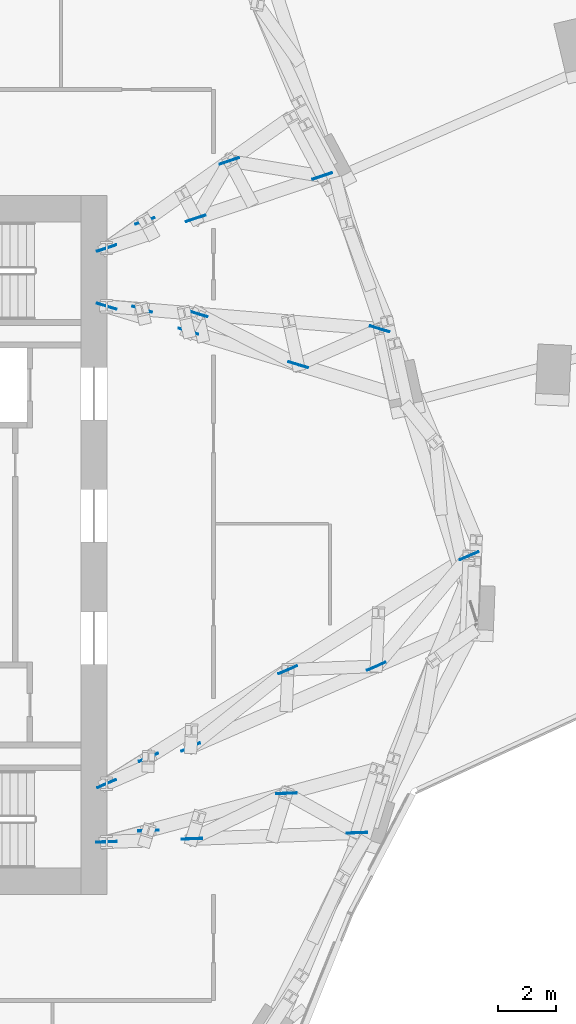
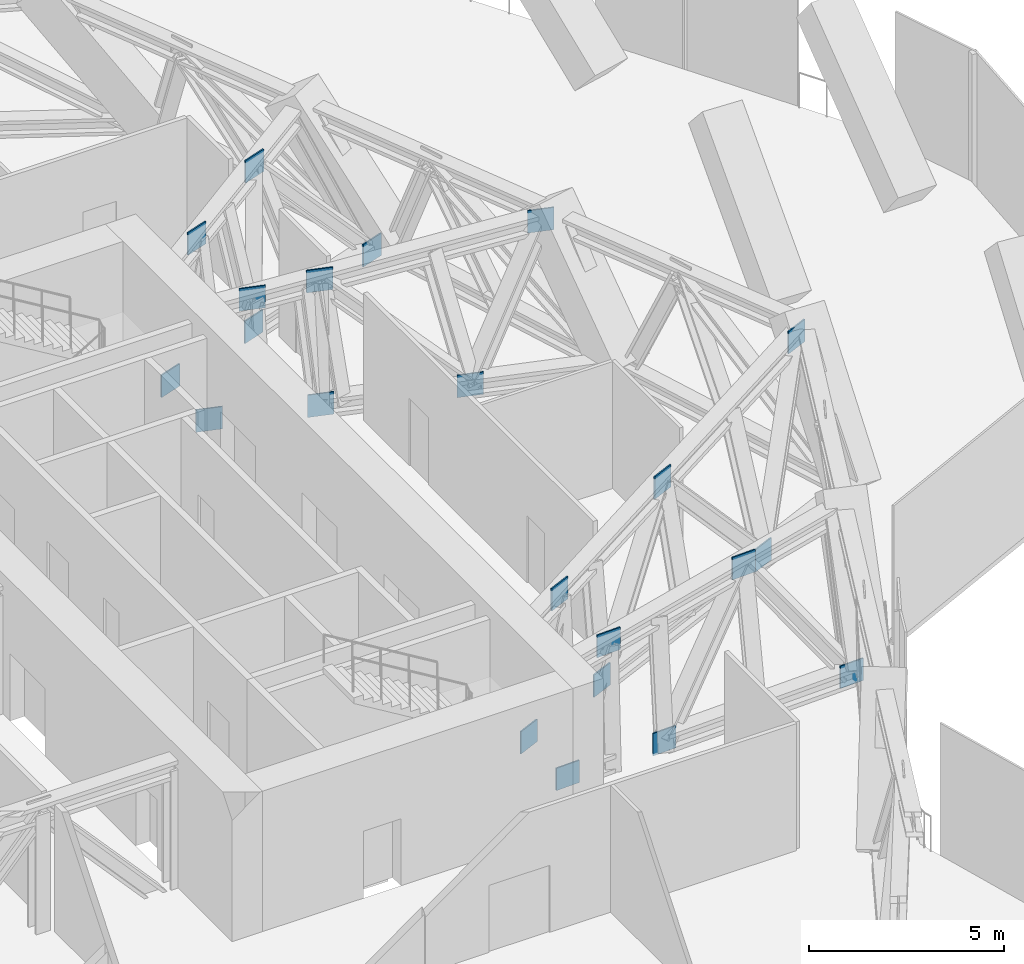
# One storey, part 27 of 31: 1 discrete accessory.
"""IFC4 building model written with IfcOpenShell, lengths in metres."""

from ifc_helpers import new_model, si_unit, direction, frame, origin, origin_2d, place, context, subcontext, project, spatial, rectangle, extrude, material, layer, layer_set, type_object, element, save


model = new_model("IFC4")

# Units and contexts
model_context = context("Model", 3, precision=1e-05, world=origin(), true_north=direction((0.0, 1.0)))
body_context = subcontext(model_context, "Body", "Model", "MODEL_VIEW")
ifc_project = project(units=[si_unit("LENGTHUNIT", "METRE"), si_unit("AREAUNIT", "SQUARE_METRE"), si_unit("VOLUMEUNIT", "CUBIC_METRE"), si_unit("PLANEANGLEUNIT", "RADIAN"), si_unit("MASSUNIT", "GRAM", prefix="KILO")], contexts=[model_context])

# Site, building, storey
site_placement = place(None, origin())
site = spatial("IfcSite", under=ifc_project, at=site_placement, CompositionType="ELEMENT")
building_placement = place(site_placement, origin())
building = spatial("IfcBuilding", under=site, at=building_placement, Name="Orlundy Tower", CompositionType="ELEMENT")
storey_placement = place(building_placement, frame((0.0, 0.0, 271.0)))
storey = spatial("IfcBuildingStorey", under=building, at=storey_placement, Name="L72", CompositionType="ELEMENT", Elevation=271.0)

# Discrete accessory
ifc_material = material(Name="Steel ASTM A572 Gr 50", Category="steel")
ifc_layer = layer(ifc_material, 0.0400390625)
ifc_layer_set = layer_set([ifc_layer], Name="CONNECTION PLATES")
discrete_accessory_type = type_object("IfcDiscreteAccessoryType", Name="CONNECTION PLATES", PredefinedType="ANCHORPLATE", material=ifc_layer_set)
discrete_accessory_placement = place(storey_placement, frame((0.0, 0.0, -271.0)))
element("IfcDiscreteAccessory", 1, at=discrete_accessory_placement, inside=storey, type_object=discrete_accessory_type, Name="Connection plates OUTRIG-L72-E", PredefinedType="ANCHORPLATE", context=body_context, shape_type="SweptSolid", body=[
    extrude(rectangle(XDim=0.699951171875, YDim=0.0400390625, at=origin_2d()), frame((18.97998046875, -10.199951171875, 270.9345703125), z_axis=(0.0, 0.0, 1.0), x_axis=(0.999346181942, 0.036155340369, 0.0)), (0.0, 0.0, 1.0), 0.699951171875),
    extrude(rectangle(XDim=0.699951171875, YDim=0.0400390625, at=origin_2d()), frame((20.41357421875, -9.8134765625, 274.365234375), z_axis=(0.0, 0.0, 1.0), x_axis=(0.999346181942, 0.036155340369, 0.0)), (0.0, 0.0, 1.0), 0.699951171875),
    extrude(rectangle(XDim=0.699951171875, YDim=0.0400390625, at=origin_2d()), frame((21.9091796875, -10.093994140625, 270.9345703125), z_axis=(0.0, 0.0, 1.0), x_axis=(0.999346181942, 0.036155340369, 0.0)), (0.0, 0.0, 1.0), 0.699951171875),
    extrude(rectangle(XDim=0.699951171875, YDim=0.0400390625, at=origin_2d()), frame((25.15625, -8.5341796875, 274.365234375), z_axis=(0.0, 0.0, 1.0), x_axis=(0.999346181942, 0.036155340369, 0.0)), (0.0, 0.0, 1.0), 0.699951171875),
    extrude(rectangle(XDim=0.699951171875, YDim=0.0400390625, at=origin_2d()), frame((27.576171875, -9.888916015625, 270.9345703125), z_axis=(0.0, 0.0, 1.0), x_axis=(0.999346181942, 0.036155340369, 0.0)), (0.0, 0.0, 1.0), 0.699951171875),
    extrude(rectangle(XDim=0.699951171875, YDim=0.0400390625, at=origin_2d()), frame((18.97998046875, -8.199951171875, 270.9345703125), z_axis=(0.0, 0.0, 1.0), x_axis=(0.916899932365, 0.399117168296, 0.0)), (0.0, 0.0, 1.0), 0.699951171875),
    extrude(rectangle(XDim=0.699951171875, YDim=0.0400390625, at=origin_2d()), frame((20.41650390625, -7.297119140625, 274.365234375), z_axis=(0.0, 0.0, 1.0), x_axis=(0.916899932365, 0.399117168296, 0.0)), (0.0, 0.0, 1.0), 0.699951171875),
    extrude(rectangle(XDim=0.699951171875, YDim=0.0400390625, at=origin_2d()), frame((21.871826171875, -6.941162109375, 270.9345703125), z_axis=(0.0, 0.0, 1.0), x_axis=(0.916899932365, 0.399117168296, 0.0)), (0.0, 0.0, 1.0), 0.699951171875),
    extrude(rectangle(XDim=0.699951171875, YDim=0.0400390625, at=origin_2d()), frame((25.2060546875, -4.285888671875, 274.365234375), z_axis=(0.0, 0.0, 1.0), x_axis=(0.916899932365, 0.399117168296, 0.0)), (0.0, 0.0, 1.0), 0.699951171875),
    extrude(rectangle(XDim=0.699951171875, YDim=0.0400390625, at=origin_2d()), frame((28.244140625, -4.16748046875, 270.9345703125), z_axis=(0.0, 0.0, 1.0), x_axis=(0.916899932365, 0.399117168296, 0.0)), (0.0, 0.0, 1.0), 0.699951171875),
    extrude(rectangle(XDim=0.699951171875, YDim=0.0400390625, at=origin_2d()), frame((31.431884765625, -0.371826171875, 274.365234375), z_axis=(0.0, 0.0, 1.0), x_axis=(0.916899932365, 0.399117168296, 0.0)), (0.0, 0.0, 1.0), 0.699951171875),
    extrude(rectangle(XDim=0.699951171875, YDim=0.0400390625, at=origin_2d()), frame((18.97998046875, 8.199951171875, 270.9345703125), z_axis=(0.0, 0.0, 1.0), x_axis=(0.956416948139, -0.292004488513, 0.0)), (0.0, 0.0, 1.0), 0.699951171875),
    extrude(rectangle(XDim=0.699951171875, YDim=0.0400390625, at=origin_2d()), frame((20.19921875, 8.098876953125, 274.365234375), z_axis=(0.0, 0.0, 1.0), x_axis=(0.956416948139, -0.292004488513, 0.0)), (0.0, 0.0, 1.0), 0.699951171875),
    extrude(rectangle(XDim=0.699951171875, YDim=0.0400390625, at=origin_2d()), frame((21.792724609375, 7.34130859375, 270.9345703125), z_axis=(0.0, 0.0, 1.0), x_axis=(0.956416948139, -0.292004488513, 0.0)), (0.0, 0.0, 1.0), 0.699951171875),
    extrude(rectangle(XDim=0.699951171875, YDim=0.0400390625, at=origin_2d()), frame((22.107177734375, 7.94091796875, 274.365234375), z_axis=(0.0, 0.0, 1.0), x_axis=(0.956416948139, -0.292004488513, 0.0)), (0.0, 0.0, 1.0), 0.699951171875),
    extrude(rectangle(XDim=0.699951171875, YDim=0.0400390625, at=origin_2d()), frame((25.55908203125, 6.19140625, 270.9345703125), z_axis=(0.0, 0.0, 1.0), x_axis=(0.956416948139, -0.292004488513, 0.0)), (0.0, 0.0, 1.0), 0.699951171875),
    extrude(rectangle(XDim=0.699951171875, YDim=0.0400390625, at=origin_2d()), frame((28.361328125, 7.42236328125, 274.365234375), z_axis=(0.0, 0.0, 1.0), x_axis=(0.956416948139, -0.292004488513, 0.0)), (0.0, 0.0, 1.0), 0.699951171875),
    extrude(rectangle(XDim=0.699951171875, YDim=0.0400390625, at=origin_2d()), frame((18.97998046875, 10.199951171875, 270.9345703125), z_axis=(0.0, 0.0, 1.0), x_axis=(0.948450953048, 0.316923949336, 0.0)), (0.0, 0.0, 1.0), 0.699951171875),
    extrude(rectangle(XDim=0.699951171875, YDim=0.0400390625, at=origin_2d()), frame((20.29833984375, 11.135986328125, 274.365234375), z_axis=(0.0, 0.0, 1.0), x_axis=(0.948450953048, 0.316923949336, 0.0)), (0.0, 0.0, 1.0), 0.699951171875),
    extrude(rectangle(XDim=0.699951171875, YDim=0.0400390625, at=origin_2d()), frame((22.039794921875, 11.222412109375, 270.9345703125), z_axis=(0.0, 0.0, 1.0), x_axis=(0.948450953048, 0.316923949336, 0.0)), (0.0, 0.0, 1.0), 0.699951171875),
    extrude(rectangle(XDim=0.699951171875, YDim=0.0400390625, at=origin_2d()), frame((23.19970703125, 13.195556640625, 274.365234375), z_axis=(0.0, 0.0, 1.0), x_axis=(0.948450953048, 0.316923949336, 0.0)), (0.0, 0.0, 1.0), 0.699951171875),
    extrude(rectangle(XDim=0.699951171875, YDim=0.0400390625, at=origin_2d()), frame((26.384033203125, 12.674072265625, 270.9345703125), z_axis=(0.0, 0.0, 1.0), x_axis=(0.948450953048, 0.316923949336, 0.0)), (0.0, 0.0, 1.0), 0.699951171875),
])

save(model, "model.ifc")
